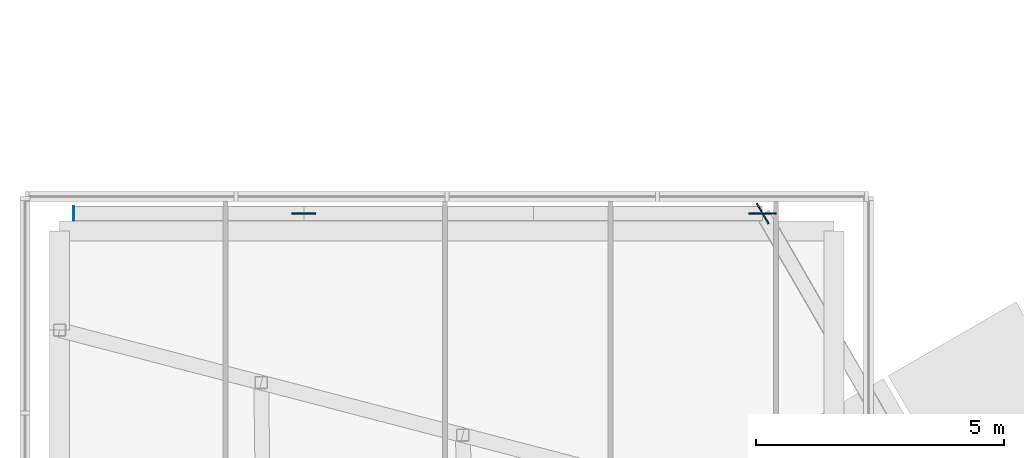
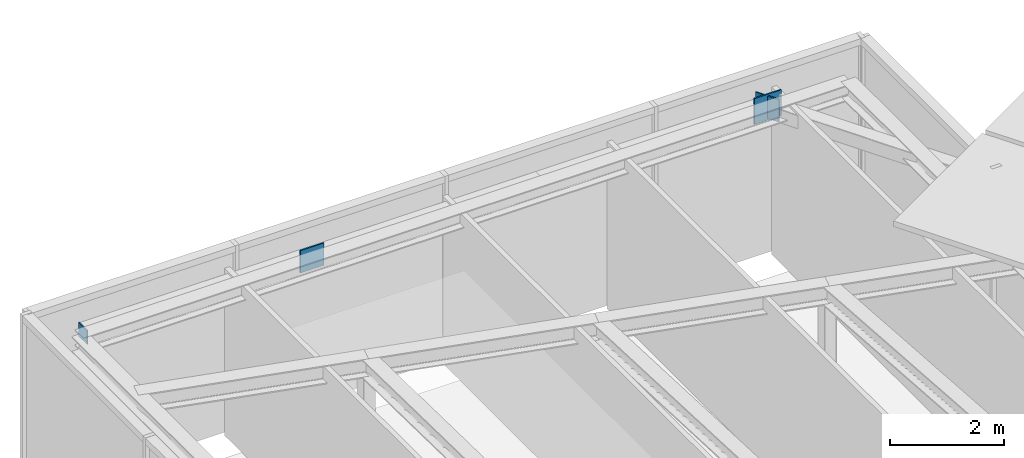
# One storey, part 21 of 24: 4 discrete accessories.
"""IFC4 building model written with IfcOpenShell, lengths in metres."""

from ifc_helpers import new_model, si_unit, direction, frame, origin, origin_2d, place, context, subcontext, project, spatial, rectangle, extrude, material, layer, layer_set, type_object, element, save


model = new_model("IFC4")

# Units and contexts
model_context = context("Model", 3, precision=1e-05, world=origin(), true_north=direction((0.0, 1.0)))
body_context = subcontext(model_context, "Body", "Model", "MODEL_VIEW")
ifc_project = project(units=[si_unit("LENGTHUNIT", "METRE"), si_unit("AREAUNIT", "SQUARE_METRE"), si_unit("VOLUMEUNIT", "CUBIC_METRE"), si_unit("PLANEANGLEUNIT", "RADIAN"), si_unit("MASSUNIT", "GRAM", prefix="KILO")], contexts=[model_context])

# Site, building, storey
site_placement = place(None, origin())
site = spatial("IfcSite", under=ifc_project, at=site_placement, CompositionType="ELEMENT")
building_placement = place(site_placement, origin())
building = spatial("IfcBuilding", under=site, at=building_placement, Name="Ayvan Gate Tower", CompositionType="ELEMENT")
storey_placement = place(building_placement, frame((0.0, 0.0, 210.10009765625)))
storey = spatial("IfcBuildingStorey", under=building, at=storey_placement, Name="L56", CompositionType="ELEMENT", Elevation=210.10009765625)

# Discrete accessories
ifc_material = material(Name="Steel S460ML", Category="steel")
ifc_layer_1 = layer(ifc_material, 0.030029296875)
ifc_layer_set_1 = layer_set([ifc_layer_1], Name="Steel S460ML")
discrete_accessory_type_1 = type_object("IfcDiscreteAccessoryType", Name="Gusset plate 30 mm", PredefinedType="BRACKET", material=ifc_layer_set_1)
discrete_accessory_1_placement = place(storey_placement, frame((-18.32421875, 21.455078125, 3.159912109375), z_axis=(0.0, 0.0, 1.0), x_axis=(-0.5, 0.866025403784, 0.0)))
element("IfcDiscreteAccessory", 1, at=discrete_accessory_1_placement, inside=storey, type_object=discrete_accessory_type_1, Name="Gusset plate SBX5-B-D-1", PredefinedType="BRACKET", context=body_context, shape_type="SweptSolid", body=[
    extrude(rectangle(XDim=0.47998046875, YDim=0.030029296875, at=origin_2d()), origin(), (0.0, 0.0, 1.0), 0.47998046875),
])
discrete_accessory_2_placement = place(storey_placement, frame((-18.32421875, 21.455078125, 3.1240234375), z_axis=(0.0, 0.0, 1.0), x_axis=(1.0, 0.0, 0.0)))
element("IfcDiscreteAccessory", 2, at=discrete_accessory_2_placement, inside=storey, type_object=discrete_accessory_type_1, Name="Gusset plate SBX5-B-D-2", PredefinedType="BRACKET", context=body_context, shape_type="SweptSolid", body=[
    extrude(rectangle(XDim=0.552001953125, YDim=0.030029296875, at=origin_2d()), origin(), (0.0, 0.0, 1.0), 0.552001953125),
])
discrete_accessory_3_placement = place(storey_placement, frame((-27.5908203125, 21.455078125, 3.159912109375), z_axis=(0.0, 0.0, 1.0), x_axis=(1.0, 0.0, 0.0)))
element("IfcDiscreteAccessory", 3, at=discrete_accessory_3_placement, inside=storey, type_object=discrete_accessory_type_1, Name="Gusset plate SBX5-B-D-3", PredefinedType="BRACKET", context=body_context, shape_type="SweptSolid", body=[
    extrude(rectangle(XDim=0.47998046875, YDim=0.030029296875, at=origin_2d()), origin(), (0.0, 0.0, 1.0), 0.47998046875),
])
ifc_layer_2 = layer(ifc_material, 0.02001953125)
ifc_layer_set_2 = layer_set([ifc_layer_2], Name="Steel S460ML")
discrete_accessory_type_2 = type_object("IfcDiscreteAccessoryType", Name="Sky bar end cap plate", PredefinedType="BRACKET", material=ifc_layer_set_2)
discrete_accessory_4_placement = place(storey_placement, frame((-32.234375, 21.455078125, 3.25), z_axis=(0.0, 0.0, 1.0), x_axis=(-1.0, 0.0, 0.0)))
element("IfcDiscreteAccessory", 4, at=discrete_accessory_4_placement, inside=storey, type_object=discrete_accessory_type_2, Name="End cap SBX5-B-TC-4:EC", PredefinedType="BRACKET", context=body_context, shape_type="SweptSolid", body=[
    extrude(rectangle(XDim=0.02001953125, YDim=0.300048828125, at=origin_2d()), origin(), (0.0, 0.0, 1.0), 0.300048828125),
])

save(model, "model.ifc")
